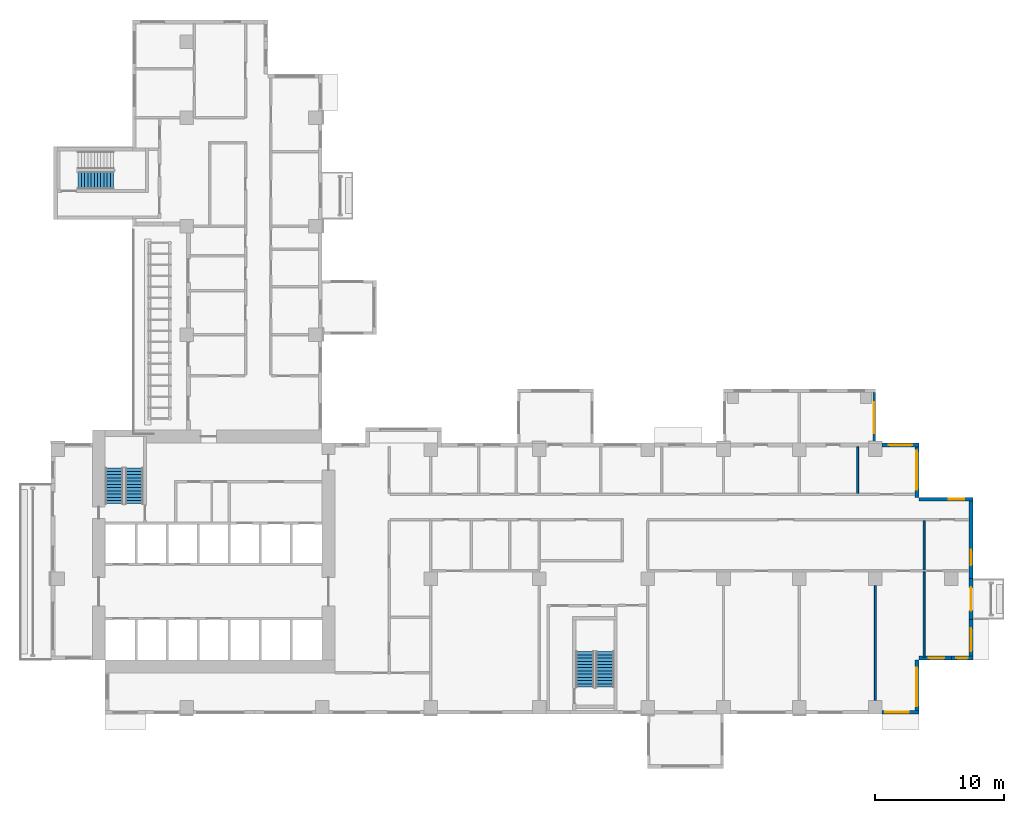
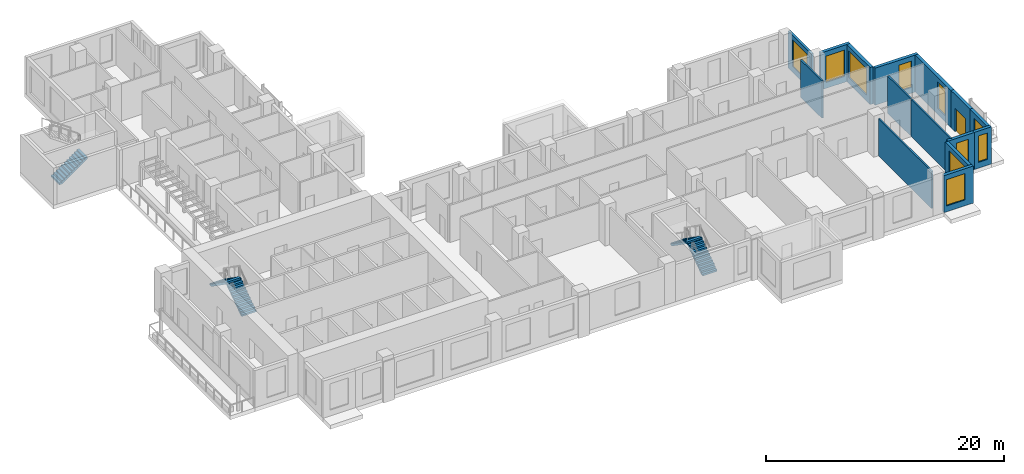
# One storey, part 10 of 16: 15 walls, 10 windows, 5 stair flights, 1 door, 11 openings, 3 elements without a shape of their own.
"""IFC4 building model written with IfcOpenShell, lengths in metres."""

import ifcopenshell
import ifcopenshell.guid

model = None  # the IFC model being written
_history = None  # IfcOwnerHistory: only IFC2X3 demands one
_inside = {}  # id of a spatial element -> (the spatial element, [elements in it])
_under = {}  # id of a project, library or spatial element -> (it, [spatial elements below it])
_declared = {}  # id of a project -> (the project, [libraries it declares])
_typed = {}  # id of a type object -> (the type object, [elements of that type])
_made_of = {}  # id of a material, layer set ... -> (it, [elements and type objects made of it])


def new_model(schema):
    """Start an empty IFC model of exactly this schema.

    Asked for "IFC4X3", IfcOpenShell would pick the latest addendum, in which some entities
    have other attributes; the version numbers below select the first issue.
    IFC2X3 requires an IfcOwnerHistory on every rooted entity: one is made here for all.
    """
    global model, _history
    if schema == "IFC4X3":
        model = ifcopenshell.file(schema_version=(4, 3, 0, 0))
    else:
        model = ifcopenshell.file(schema=schema)
    _inside.clear()
    _under.clear()
    _declared.clear()
    _typed.clear()
    _made_of.clear()
    _history = None
    if model.schema == "IFC2X3":
        org = make("IfcOrganization", Name="unknown")
        user = make(
            "IfcPersonAndOrganization",
            ThePerson=make("IfcPerson", FamilyName="unknown"),
            TheOrganization=org,
        )
        app = make(
            "IfcApplication",
            ApplicationDeveloper=org,
            Version="unknown",
            ApplicationFullName="unknown",
            ApplicationIdentifier="unknown",
        )
        _history = make(
            "IfcOwnerHistory",
            OwningUser=user,
            OwningApplication=app,
            ChangeAction="ADDED",
            CreationDate=0,
        )
    return model


def make(cls, **values):
    """One entity of the class cls with the attributes given. An attribute that is None is left unset."""
    return model.create_entity(
        cls, **{name: value for name, value in values.items() if value is not None}
    )


def rooted(cls, **values):
    """An entity with a GlobalId (a new one), such as an element, a storey or a relation."""
    return make(cls, GlobalId=ifcopenshell.guid.new(), OwnerHistory=_history, **values)


def si_unit(unit_type, name, prefix=None):
    """IfcSIUnit, for example si_unit("LENGTHUNIT", "METRE", prefix="MILLI")."""
    return make("IfcSIUnit", UnitType=unit_type, Prefix=prefix, Name=name)


def assignment(units):
    """IfcUnitAssignment: the units of a project."""
    return None if units is None else make("IfcUnitAssignment", Units=units)


def point(xyz):
    """IfcCartesianPoint."""
    return None if xyz is None else make("IfcCartesianPoint", Coordinates=xyz)


def direction(xyz):
    """IfcDirection."""
    return None if xyz is None else make("IfcDirection", DirectionRatios=xyz)


def frame(location, z_axis=None, x_axis=None):
    """IfcAxis2Placement3D, a coordinate frame: its origin and axes. An axis left out is left unset."""
    return make(
        "IfcAxis2Placement3D",
        Location=point(location),
        Axis=direction(z_axis),
        RefDirection=direction(x_axis),
    )


def frame_2d(location, x_axis=None):
    """IfcAxis2Placement2D, a coordinate frame in the plane: its origin and x axis."""
    return make(
        "IfcAxis2Placement2D", Location=point(location), RefDirection=direction(x_axis)
    )


def origin():
    """The frame at (0, 0, 0) with its axes left unset."""
    return frame((0.0, 0.0, 0.0))


def place(relative_to, where):
    """IfcLocalPlacement: puts the frame where relative to a parent placement (None: the world)."""
    return make(
        "IfcLocalPlacement", PlacementRelTo=relative_to, RelativePlacement=where
    )


def context(
    kind, dimensions, precision=None, world=None, true_north=None, identifier=None
):
    """IfcGeometricRepresentationContext, for example the 3D "Model" context."""
    return make(
        "IfcGeometricRepresentationContext",
        ContextIdentifier=identifier,
        ContextType=kind,
        CoordinateSpaceDimension=dimensions,
        Precision=precision,
        WorldCoordinateSystem=world,
        TrueNorth=true_north,
    )


def subcontext(parent, identifier, kind, view, scale=None):
    """IfcGeometricRepresentationSubContext, for example "Body" below "Model"."""
    return make(
        "IfcGeometricRepresentationSubContext",
        ContextIdentifier=identifier,
        ContextType=kind,
        ParentContext=parent,
        TargetScale=scale,
        TargetView=view,
    )


def project(units=None, contexts=None):
    """IfcProject with its units and contexts."""
    return rooted(
        "IfcProject",
        Name="project",
        RepresentationContexts=contexts,
        UnitsInContext=assignment(units),
    )


def spatial(cls, under=None, at=None, **own):
    """A site, building, storey or space (cls), placed at a placement, below another one or the project."""
    s = rooted(cls, ObjectPlacement=at, **own)
    if under is not None:
        _under.setdefault(under.id(), (under, []))[1].append(s)
    return s


def polyline(points):
    """IfcPolyline through the points."""
    return make("IfcPolyline", Points=[point(p) for p in points])


def profile(cls, at=None, kind="AREA", **sizes):
    """A parametric profile (cls). Its sizes go by their IFC names, for example OverallWidth=200.0."""
    return make(cls, ProfileType=kind, Position=at, **sizes)


def rectangle(**sizes):
    """IfcRectangleProfileDef."""
    return profile("IfcRectangleProfileDef", **sizes)


def outline(outer, holes=None, kind="AREA"):
    """IfcArbitraryClosedProfileDef: a profile drawn as a closed curve; with holes, ...WithVoids."""
    if holes is None:
        return make("IfcArbitraryClosedProfileDef", ProfileType=kind, OuterCurve=outer)
    return make(
        "IfcArbitraryProfileDefWithVoids",
        ProfileType=kind,
        OuterCurve=outer,
        InnerCurves=holes,
    )


def extrude(swept, where, along, depth):
    """IfcExtrudedAreaSolid: the profile swept, set in the frame where, extruded along a direction by depth."""
    return make(
        "IfcExtrudedAreaSolid",
        SweptArea=swept,
        Position=where,
        ExtrudedDirection=direction(along),
        Depth=depth,
    )


def shape(context_of_items, identifier, shape_type, items):
    """IfcShapeRepresentation: the items that make up one representation, for example the "Body"."""
    return make(
        "IfcShapeRepresentation",
        ContextOfItems=context_of_items,
        RepresentationIdentifier=identifier,
        RepresentationType=shape_type,
        Items=items,
    )


def source(mapping_origin, context_of_items, identifier, shape_type, items):
    """IfcRepresentationMap: a shape defined once, which mapped items show again and again."""
    return make(
        "IfcRepresentationMap",
        MappingOrigin=mapping_origin,
        MappedRepresentation=shape(context_of_items, identifier, shape_type, items),
    )


def transform(
    local_origin,
    x_axis=None,
    y_axis=None,
    z_axis=None,
    scale=None,
    scale2=None,
    scale3=None,
    uniform=True,
):
    """IfcCartesianTransformationOperator3D, or its non-uniform kind. x_axis, y_axis, z_axis: its Axis1, 2, 3."""
    if uniform:
        return make(
            "IfcCartesianTransformationOperator3D",
            Axis1=direction(x_axis),
            Axis2=direction(y_axis),
            LocalOrigin=point(local_origin),
            Scale=scale,
            Axis3=direction(z_axis),
        )
    return make(
        "IfcCartesianTransformationOperator3DnonUniform",
        Axis1=direction(x_axis),
        Axis2=direction(y_axis),
        LocalOrigin=point(local_origin),
        Scale=scale,
        Axis3=direction(z_axis),
        Scale2=scale2,
        Scale3=scale3,
    )


def mapped(mapping_source, mapping_target):
    """IfcMappedItem: shows the shape of a source again, moved by a transform."""
    return make(
        "IfcMappedItem", MappingSource=mapping_source, MappingTarget=mapping_target
    )


def material(Name=None, Category=None):
    """IfcMaterial."""
    return make("IfcMaterial", Name=Name, Category=Category)


def layer(
    of_material, thickness, ventilated=None, Name=None, Category=None, Priority=None
):
    """IfcMaterialLayer: one layer of a wall or slab, of a material (None: an air gap)."""
    return make(
        "IfcMaterialLayer",
        Material=of_material,
        LayerThickness=thickness,
        IsVentilated=ventilated,
        Name=Name,
        Category=Category,
        Priority=Priority,
    )


def layer_set(layers, Name=None):
    """IfcMaterialLayerSet."""
    return make("IfcMaterialLayerSet", MaterialLayers=layers, LayerSetName=Name)


def made_of(thing, what):
    """Note that an element or type object is made of a material, layer set ...; save() writes the relation."""
    if what is not None:
        _made_of.setdefault(what.id(), (what, []))[1].append(thing)
    return thing


def type_object(cls, material=None, **own):
    """A type object (cls), such as IfcWallType, which elements share."""
    return made_of(rooted(cls, **own), material)


def element(
    cls,
    number,
    at=None,
    inside=None,
    cuts=None,
    type_object=None,
    material=None,
    context=None,
    identifier="Body",
    shape_type=None,
    held_by="IfcProductDefinitionShape",
    body=None,
    shapes=None,
    **own,
):
    """One element of the class cls, such as IfcWall. Its Tag is "e" and its number.

    at: its placement. inside: the storey or other place that contains it. cuts: it is an
    opening in that element (IfcRelVoidsElement). A single representation is given by context,
    identifier, shape_type and body (its items); several are given by shapes. held_by: the class
    of the entity that holds the representations. save() writes the other relations.
    """
    e = rooted(cls, Tag="e%d" % number, ObjectPlacement=at, **own)
    if body is not None:
        shapes = [shape(context, identifier, shape_type, body)]
    if shapes is not None:
        e.Representation = make(held_by, Representations=shapes)
    if inside is not None:
        _inside.setdefault(inside.id(), (inside, []))[1].append(e)
    if cuts is not None:
        rooted(
            "IfcRelVoidsElement", RelatingBuildingElement=cuts, RelatedOpeningElement=e
        )
    if type_object is not None:
        _typed.setdefault(type_object.id(), (type_object, []))[1].append(e)
    return made_of(e, material)


def fill(opening, filler):
    """IfcRelFillsElement: the door or window that sits in an opening."""
    return rooted(
        "IfcRelFillsElement",
        RelatingOpeningElement=opening,
        RelatedBuildingElement=filler,
    )


def aggregate(whole, parts):
    """IfcRelAggregates: a whole, such as a stair, and the parts it consists of."""
    return rooted("IfcRelAggregates", RelatingObject=whole, RelatedObjects=parts)


def save(model, path):
    """Write the relations noted so far, then the file.

    IfcRelAggregates (storeys below a building ...), IfcRelContainedInSpatialStructure (elements
    in a storey), IfcRelDefinesByType, IfcRelAssociatesMaterial and IfcRelDeclares: one each for
    every whole, place, type object, material and project.
    """
    for whole, parts in _under.values():
        aggregate(whole, parts)
    for where, things in _inside.values():
        rooted(
            "IfcRelContainedInSpatialStructure",
            RelatedElements=things,
            RelatingStructure=where,
        )
    for kind, things in _typed.values():
        rooted("IfcRelDefinesByType", RelatedObjects=things, RelatingType=kind)
    for what, things in _made_of.values():
        rooted("IfcRelAssociatesMaterial", RelatedObjects=things, RelatingMaterial=what)
    for by, libraries in _declared.values():
        rooted("IfcRelDeclares", RelatingContext=by, RelatedDefinitions=libraries)
    model.write(path)


model = new_model("IFC4")

# Units and contexts
model_context = context("Model", 3, precision=1e-05, world=origin(), true_north=direction((0.0, 1.0)))
body_context = subcontext(model_context, "Body", "Model", "MODEL_VIEW")
ifc_project = project(units=[si_unit("LENGTHUNIT", "METRE"), si_unit("AREAUNIT", "SQUARE_METRE"), si_unit("VOLUMEUNIT", "CUBIC_METRE"), si_unit("PLANEANGLEUNIT", "RADIAN"), si_unit("MASSUNIT", "GRAM", prefix="KILO")], contexts=[model_context])

# Site, building, storey
site_placement = place(None, origin())
site = spatial("IfcSite", under=ifc_project, at=site_placement, CompositionType="ELEMENT")
building_placement = place(site_placement, origin())
building = spatial("IfcBuilding", under=site, at=building_placement, Name="Aurelian Terraces", CompositionType="ELEMENT")
storey_placement = place(building_placement, frame((0.0, 0.0, 124.5)))
storey = spatial("IfcBuildingStorey", under=building, at=storey_placement, Name="L27", CompositionType="ELEMENT", Elevation=124.5)

# Wall, opening, window
ifc_material_1 = material(Name="Terracotta rainscreen cladding", Category="masonry")
ifc_layer_1 = layer(ifc_material_1, 0.3)
ifc_layer_set_1 = layer_set([ifc_layer_1], Name="EW-300")
wall_type_1 = type_object("IfcWallType", Name="EW-300", PredefinedType="STANDARD", material=ifc_layer_set_1)
shared_shape_1 = source(origin(), body_context, "Body", "SweptSolid", [
    extrude(rectangle(XDim=3.15, YDim=0.3, at=frame_2d((1.575, 0.0))), origin(), (0.0, 0.0, 1.0), 3.8),
])
wall_1_placement = place(storey_placement, frame((71.25, 4.2, 0.0), z_axis=(0.0, 0.0, 1.0), x_axis=(0.0, 1.0, 0.0)))
wall_1 = element("IfcWall", 1, at=wall_1_placement, inside=storey, type_object=wall_type_1, Name="External wall L27 F04.15", PredefinedType="STANDARD", context=body_context, shape_type="MappedRepresentation", body=[
    mapped(shared_shape_1, transform((0.0, 0.0, 0.0), scale=1.0)),
])
shared_shape_2 = source(origin(), body_context, "Body", "SweptSolid", [
    extrude(rectangle(XDim=1.8, YDim=2.7, at=frame_2d((0.9, 1.35))), frame((0.0, 0.16, 0.0), z_axis=(0.0, -1.0, 0.0), x_axis=(1.0, 0.0, 0.0)), (0.0, 0.0, 1.0), 0.32),
])
opening_1_placement = place(wall_1_placement, frame((0.675, 0.0, 0.6)))
opening_1 = element("IfcOpeningElement", 2, at=opening_1_placement, cuts=wall_1, Name="Opening W1827", PredefinedType="OPENING", context=body_context, shape_type="MappedRepresentation", body=[
    mapped(shared_shape_2, transform((0.0, 0.0, 0.0), scale=1.0)),
])
ifc_material_2 = material(Name="Clear glazing", Category="glass")
window_type_1 = type_object("IfcWindowType", Name="W-1800x2700", PartitioningType="SINGLE_PANEL", PredefinedType="WINDOW", material=ifc_material_2)
shared_shape_3 = source(origin(), body_context, "Body", "SweptSolid", [
    extrude(rectangle(XDim=1.8, YDim=2.7, at=frame_2d((0.9, 1.35))), frame((0.0, 0.03, 0.0), z_axis=(0.0, -1.0, 0.0), x_axis=(1.0, 0.0, 0.0)), (0.0, 0.0, 1.0), 0.06),
])
window_1_placement = place(opening_1_placement, origin())
window_1 = element("IfcWindow", 3, at=window_1_placement, inside=storey, type_object=window_type_1, Name="Window L27 L27-F04-15-0", OverallHeight=2.7, OverallWidth=1.8, PartitioningType="SINGLE_PANEL", PredefinedType="WINDOW", context=body_context, shape_type="MappedRepresentation", body=[
    mapped(shared_shape_3, transform((0.0, 0.0, 0.0), scale=1.0)),
])
fill(opening_1, window_1)

# Wall, opening, door
wall_2_placement = place(storey_placement, frame((71.25, 7.35, 0.0), z_axis=(0.0, 0.0, 1.0), x_axis=(0.0, 1.0, 0.0)))
wall_2 = element("IfcWall", 4, at=wall_2_placement, inside=storey, type_object=wall_type_1, Name="External wall L27 F04.16", PredefinedType="STANDARD", context=body_context, shape_type="MappedRepresentation", body=[
    mapped(shared_shape_1, transform((0.0, 0.0, 0.0), scale=1.0)),
])
shared_shape_4 = source(origin(), body_context, "Body", "SweptSolid", [
    extrude(rectangle(XDim=1.8, YDim=2.4, at=frame_2d((0.9, 1.2))), frame((0.0, 0.16, 0.0), z_axis=(0.0, -1.0, 0.0), x_axis=(1.0, 0.0, 0.0)), (0.0, 0.0, 1.0), 0.32),
])
opening_2_placement = place(wall_2_placement, frame((0.675, 0.0, 0.0)))
opening_2 = element("IfcOpeningElement", 5, at=opening_2_placement, cuts=wall_2, Name="Opening 82701", PredefinedType="OPENING", context=body_context, shape_type="MappedRepresentation", body=[
    mapped(shared_shape_4, transform((0.0, 0.0, 0.0), scale=1.0)),
])
door_type = type_object("IfcDoorType", Name="BD-1800x2400", OperationType="SLIDING_TO_LEFT", PredefinedType="DOOR", material=ifc_material_2)
shared_shape_5 = source(origin(), body_context, "Body", "SweptSolid", [
    extrude(rectangle(XDim=1.8, YDim=2.4, at=frame_2d((0.9, 1.2))), frame((0.0, 0.025, 0.0), z_axis=(0.0, -1.0, 0.0), x_axis=(1.0, 0.0, 0.0)), (0.0, 0.0, 1.0), 0.05),
])
door_placement = place(opening_2_placement, origin())
door = element("IfcDoor", 6, at=door_placement, inside=storey, type_object=door_type, Name="Balcony door L27 F04.16", OperationType="SLIDING_TO_LEFT", OverallHeight=2.4, OverallWidth=1.8, PredefinedType="DOOR", context=body_context, shape_type="MappedRepresentation", body=[
    mapped(shared_shape_5, transform((0.0, 0.0, 0.0), scale=1.0)),
])
fill(opening_2, door)

# Wall, opening, window
shared_shape_6 = source(origin(), body_context, "Body", "SweptSolid", [
    extrude(rectangle(XDim=4.2, YDim=0.3, at=frame_2d((2.1, 0.0))), origin(), (0.0, 0.0, 1.0), 3.8),
])
wall_3_placement = place(storey_placement, frame((67.05, 0.0, 0.0), z_axis=(0.0, 0.0, 1.0), x_axis=(0.0, 1.0, 0.0)))
wall_3 = element("IfcWall", 7, at=wall_3_placement, inside=storey, type_object=wall_type_1, Name="External wall L27 F02.12", PredefinedType="STANDARD", context=body_context, shape_type="MappedRepresentation", body=[
    mapped(shared_shape_6, transform((0.0, 0.0, 0.0), scale=1.0)),
])
shared_shape_7 = source(origin(), body_context, "Body", "SweptSolid", [
    extrude(rectangle(XDim=3.0, YDim=2.7, at=frame_2d((1.5, 1.35))), frame((0.0, 0.16, 0.0), z_axis=(0.0, -1.0, 0.0), x_axis=(1.0, 0.0, 0.0)), (0.0, 0.0, 1.0), 0.32),
])
opening_3_placement = place(wall_3_placement, frame((0.6, 0.0, 0.6)))
opening_3 = element("IfcOpeningElement", 8, at=opening_3_placement, cuts=wall_3, Name="Opening W3027", PredefinedType="OPENING", context=body_context, shape_type="MappedRepresentation", body=[
    mapped(shared_shape_7, transform((0.0, 0.0, 0.0), scale=1.0)),
])
window_type_2 = type_object("IfcWindowType", Name="W-3000x2700", PartitioningType="SINGLE_PANEL", PredefinedType="WINDOW", material=ifc_material_2)
shared_shape_8 = source(origin(), body_context, "Body", "SweptSolid", [
    extrude(rectangle(XDim=3.0, YDim=2.7, at=frame_2d((1.5, 1.35))), frame((0.0, 0.03, 0.0), z_axis=(0.0, -1.0, 0.0), x_axis=(1.0, 0.0, 0.0)), (0.0, 0.0, 1.0), 0.06),
])
window_2_placement = place(opening_3_placement, origin())
window_2 = element("IfcWindow", 9, at=window_2_placement, inside=storey, type_object=window_type_2, Name="Window L27 L27-F02-12-0", OverallHeight=2.7, OverallWidth=3.0, PartitioningType="SINGLE_PANEL", PredefinedType="WINDOW", context=body_context, shape_type="MappedRepresentation", body=[
    mapped(shared_shape_8, transform((0.0, 0.0, 0.0), scale=1.0)),
])
fill(opening_3, window_2)

wall_4_placement = place(storey_placement, frame((71.4, 16.65, 0.0), z_axis=(0.0, 0.0, 1.0), x_axis=(-1.0, 0.0, 0.0)))
wall_4 = element("IfcWall", 10, at=wall_4_placement, inside=storey, type_object=wall_type_1, Name="External wall L27 F05.18", PredefinedType="STANDARD", context=body_context, shape_type="MappedRepresentation", body=[
    mapped(shared_shape_6, transform((0.0, 0.0, 0.0), scale=1.0)),
])
shared_shape_9 = source(origin(), body_context, "Body", "SweptSolid", [
    extrude(rectangle(XDim=1.2, YDim=2.7, at=frame_2d((0.6, 1.35))), frame((0.0, 0.16, 0.0), z_axis=(0.0, -1.0, 0.0), x_axis=(1.0, 0.0, 0.0)), (0.0, 0.0, 1.0), 0.32),
])
opening_4_placement = place(wall_4_placement, frame((0.66, 0.0, 0.6)))
opening_4 = element("IfcOpeningElement", 11, at=opening_4_placement, cuts=wall_4, Name="Opening W1227", PredefinedType="OPENING", context=body_context, shape_type="MappedRepresentation", body=[
    mapped(shared_shape_9, transform((0.0, 0.0, 0.0), scale=1.0)),
])
window_type_3 = type_object("IfcWindowType", Name="W-1200x2700", PartitioningType="SINGLE_PANEL", PredefinedType="WINDOW", material=ifc_material_2)
shared_shape_10 = source(origin(), body_context, "Body", "SweptSolid", [
    extrude(rectangle(XDim=1.2, YDim=2.7, at=frame_2d((0.6, 1.35))), frame((0.0, 0.03, 0.0), z_axis=(0.0, -1.0, 0.0), x_axis=(1.0, 0.0, 0.0)), (0.0, 0.0, 1.0), 0.06),
])
window_3_placement = place(opening_4_placement, origin())
window_3 = element("IfcWindow", 12, at=window_3_placement, inside=storey, type_object=window_type_3, Name="Window L27 L27-F05-18-0", OverallHeight=2.7, OverallWidth=1.2, PartitioningType="SINGLE_PANEL", PredefinedType="WINDOW", context=body_context, shape_type="MappedRepresentation", body=[
    mapped(shared_shape_10, transform((0.0, 0.0, 0.0), scale=1.0)),
])
fill(opening_4, window_3)

wall_5_placement = place(storey_placement, frame((67.05, 16.8, 0.0), z_axis=(0.0, 0.0, 1.0), x_axis=(0.0, 1.0, 0.0)))
wall_5 = element("IfcWall", 13, at=wall_5_placement, inside=storey, type_object=wall_type_1, Name="External wall L27 F06.19", PredefinedType="STANDARD", context=body_context, shape_type="MappedRepresentation", body=[
    mapped(shared_shape_6, transform((0.0, 0.0, 0.0), scale=1.0)),
])
opening_5_placement = place(wall_5_placement, frame((0.6, 0.0, 0.6)))
opening_5 = element("IfcOpeningElement", 14, at=opening_5_placement, cuts=wall_5, Name="Opening W3027", PredefinedType="OPENING", context=body_context, shape_type="MappedRepresentation", body=[
    mapped(shared_shape_7, transform((0.0, 0.0, 0.0), scale=1.0)),
])
window_4_placement = place(opening_5_placement, origin())
window_4 = element("IfcWindow", 15, at=window_4_placement, inside=storey, type_object=window_type_2, Name="Window L27 L27-F06-19-0", OverallHeight=2.7, OverallWidth=3.0, PartitioningType="SINGLE_PANEL", PredefinedType="WINDOW", context=body_context, shape_type="MappedRepresentation", body=[
    mapped(shared_shape_8, transform((0.0, 0.0, 0.0), scale=1.0)),
])
fill(opening_5, window_4)

shared_shape_11 = source(origin(), body_context, "Body", "SweptSolid", [
    extrude(rectangle(XDim=2.52, YDim=0.3, at=frame_2d((1.26, 0.0))), origin(), (0.0, 0.0, 1.0), 3.8),
])
wall_6_placement = place(storey_placement, frame((67.2, 4.35, 0.0), z_axis=(0.0, 0.0, 1.0), x_axis=(1.0, 0.0, 0.0)))
wall_6 = element("IfcWall", 16, at=wall_6_placement, inside=storey, type_object=wall_type_1, Name="External wall L27 F03.13", PredefinedType="STANDARD", context=body_context, shape_type="MappedRepresentation", body=[
    mapped(shared_shape_11, transform((0.0, 0.0, 0.0), scale=1.0)),
])
opening_6_placement = place(wall_6_placement, frame((0.7775, 0.0, 0.6)))
opening_6 = element("IfcOpeningElement", 17, at=opening_6_placement, cuts=wall_6, Name="Opening W1227", PredefinedType="OPENING", context=body_context, shape_type="MappedRepresentation", body=[
    mapped(shared_shape_9, transform((0.0, 0.0, 0.0), scale=1.0)),
])
window_5_placement = place(opening_6_placement, origin())
window_5 = element("IfcWindow", 18, at=window_5_placement, inside=storey, type_object=window_type_3, Name="Window L27 L27-F03-13-P0", OverallHeight=2.7, OverallWidth=1.2, PartitioningType="SINGLE_PANEL", PredefinedType="WINDOW", context=body_context, shape_type="MappedRepresentation", body=[
    mapped(shared_shape_10, transform((0.0, 0.0, 0.0), scale=1.0)),
])
fill(opening_6, window_5)

shared_shape_12 = source(origin(), body_context, "Body", "SweptSolid", [
    extrude(rectangle(XDim=1.68, YDim=0.3, at=frame_2d((0.84, 0.0))), origin(), (0.0, 0.0, 1.0), 3.8),
])
wall_7_placement = place(storey_placement, frame((69.72, 4.35, 0.0), z_axis=(0.0, 0.0, 1.0), x_axis=(1.0, 0.0, 0.0)))
wall_7 = element("IfcWall", 19, at=wall_7_placement, inside=storey, type_object=wall_type_1, Name="External wall L27 F03.14", PredefinedType="STANDARD", context=body_context, shape_type="MappedRepresentation", body=[
    mapped(shared_shape_12, transform((0.0, 0.0, 0.0), scale=1.0)),
])
shared_shape_13 = source(origin(), body_context, "Body", "SweptSolid", [
    extrude(rectangle(XDim=0.9, YDim=2.7, at=frame_2d((0.45, 1.35))), frame((0.0, 0.16, 0.0), z_axis=(0.0, -1.0, 0.0), x_axis=(1.0, 0.0, 0.0)), (0.0, 0.0, 1.0), 0.32),
])
opening_7_placement = place(wall_7_placement, frame((0.39, 0.0, 0.6)))
opening_7 = element("IfcOpeningElement", 20, at=opening_7_placement, cuts=wall_7, Name="Opening W0927", PredefinedType="OPENING", context=body_context, shape_type="MappedRepresentation", body=[
    mapped(shared_shape_13, transform((0.0, 0.0, 0.0), scale=1.0)),
])
window_type_4 = type_object("IfcWindowType", Name="W-900x2700", PartitioningType="SINGLE_PANEL", PredefinedType="WINDOW", material=ifc_material_2)
shared_shape_14 = source(origin(), body_context, "Body", "SweptSolid", [
    extrude(rectangle(XDim=0.9, YDim=2.7, at=frame_2d((0.45, 1.35))), frame((0.0, 0.03, 0.0), z_axis=(0.0, -1.0, 0.0), x_axis=(1.0, 0.0, 0.0)), (0.0, 0.0, 1.0), 0.06),
])
window_6_placement = place(opening_7_placement, origin())
window_6 = element("IfcWindow", 21, at=window_6_placement, inside=storey, type_object=window_type_4, Name="Window L27 L27-F03-14-P0", OverallHeight=2.7, OverallWidth=0.9, PartitioningType="SINGLE_PANEL", PredefinedType="WINDOW", context=body_context, shape_type="MappedRepresentation", body=[
    mapped(shared_shape_14, transform((0.0, 0.0, 0.0), scale=1.0)),
])
fill(opening_7, window_6)

shared_shape_15 = source(origin(), body_context, "Body", "SweptSolid", [
    extrude(rectangle(XDim=6.3, YDim=0.3, at=frame_2d((3.15, 0.0))), origin(), (0.0, 0.0, 1.0), 3.8),
])
wall_8_placement = place(storey_placement, frame((71.25, 10.5, 0.0), z_axis=(0.0, 0.0, 1.0), x_axis=(0.0, 1.0, 0.0)))
wall_8 = element("IfcWall", 22, at=wall_8_placement, inside=storey, type_object=wall_type_1, Name="External wall L27 F04.17", PredefinedType="STANDARD", context=body_context, shape_type="MappedRepresentation", body=[
    mapped(shared_shape_15, transform((0.0, 0.0, 0.0), scale=1.0)),
])
opening_8_placement = place(wall_8_placement, frame((1.025, 0.0, 0.6)))
opening_8 = element("IfcOpeningElement", 23, at=opening_8_placement, cuts=wall_8, Name="Opening W1227", PredefinedType="OPENING", context=body_context, shape_type="MappedRepresentation", body=[
    mapped(shared_shape_9, transform((0.0, 0.0, 0.0), scale=1.0)),
])
window_7_placement = place(opening_8_placement, origin())
window_7 = element("IfcWindow", 24, at=window_7_placement, inside=storey, type_object=window_type_3, Name="Window L27 L27-F04-17-0", OverallHeight=2.7, OverallWidth=1.2, PartitioningType="SINGLE_PANEL", PredefinedType="WINDOW", context=body_context, shape_type="MappedRepresentation", body=[
    mapped(shared_shape_10, transform((0.0, 0.0, 0.0), scale=1.0)),
])
fill(opening_8, window_7)

ifc_material_3 = material(Name="Concrete fc' 40 MPa", Category="concrete")
ifc_layer_2 = layer(ifc_material_3, 0.2)
ifc_layer_set_2 = layer_set([ifc_layer_2], Name="BOX BEARING WALL 200")
wall_type_2 = type_object("IfcWallType", Name="BOX BEARING WALL 200", PredefinedType="SOLIDWALL", material=ifc_layer_set_2)
shared_shape_16 = source(origin(), body_context, "Body", "SweptSolid", [
    extrude(rectangle(XDim=3.9, YDim=0.2, at=frame_2d((1.95, 0.0))), origin(), (0.0, 0.0, 1.0), 3.79),
])
wall_9_placement = place(storey_placement, frame((63.74, 21.0, 0.0), z_axis=(0.0, 0.0, 1.0), x_axis=(0.0, 1.0, 0.0)))
wall_9 = element("IfcWall", 25, at=wall_9_placement, inside=storey, type_object=wall_type_2, Name="Box return L27 K02.1", PredefinedType="SOLIDWALL", context=body_context, shape_type="MappedRepresentation", body=[
    mapped(shared_shape_16, transform((0.0, 0.0, 0.0), scale=1.0)),
])
shared_shape_17 = source(origin(), body_context, "Body", "SweptSolid", [
    extrude(rectangle(XDim=2.4, YDim=2.7, at=frame_2d((1.2, 1.35))), frame((0.0, 0.11, 0.0), z_axis=(0.0, -1.0, 0.0), x_axis=(1.0, 0.0, 0.0)), (0.0, 0.0, 1.0), 0.22),
])
opening_9_placement = place(wall_9_placement, frame((0.75, 0.0, 0.6)))
opening_9 = element("IfcOpeningElement", 26, at=opening_9_placement, cuts=wall_9, Name="Opening W2427", PredefinedType="OPENING", context=body_context, shape_type="MappedRepresentation", body=[
    mapped(shared_shape_17, transform((0.0, 0.0, 0.0), scale=1.0)),
])
window_type_5 = type_object("IfcWindowType", Name="W-2400x2700", PartitioningType="SINGLE_PANEL", PredefinedType="WINDOW", material=ifc_material_2)
shared_shape_18 = source(origin(), body_context, "Body", "SweptSolid", [
    extrude(rectangle(XDim=2.4, YDim=2.7, at=frame_2d((1.2, 1.35))), frame((0.0, 0.03, 0.0), z_axis=(0.0, -1.0, 0.0), x_axis=(1.0, 0.0, 0.0)), (0.0, 0.0, 1.0), 0.06),
])
window_8_placement = place(opening_9_placement, origin())
window_8 = element("IfcWindow", 27, at=window_8_placement, inside=storey, type_object=window_type_5, Name="Window L27 K02-S1", OverallHeight=2.7, OverallWidth=2.4, PartitioningType="SINGLE_PANEL", PredefinedType="WINDOW", context=body_context, shape_type="MappedRepresentation", body=[
    mapped(shared_shape_18, transform((0.0, 0.0, 0.0), scale=1.0)),
])
fill(opening_9, window_8)

shared_shape_19 = source(origin(), body_context, "Body", "SweptSolid", [
    extrude(rectangle(XDim=2.835, YDim=0.3, at=frame_2d((1.4175, 0.0))), origin(), (0.0, 0.0, 1.0), 3.8),
])
wall_10_placement = place(storey_placement, frame((64.365, 0.15, 0.0), z_axis=(0.0, 0.0, 1.0), x_axis=(1.0, 0.0, 0.0)))
wall_10 = element("IfcWall", 28, at=wall_10_placement, inside=storey, type_object=wall_type_1, Name="External wall L27 F01.11", PredefinedType="STANDARD", context=body_context, shape_type="MappedRepresentation", body=[
    mapped(shared_shape_19, transform((0.0, 0.0, 0.0), scale=1.0)),
])
opening_10_placement = place(wall_10_placement, frame((0.255, 0.0, 0.6)))
opening_10 = element("IfcOpeningElement", 29, at=opening_10_placement, cuts=wall_10, Name="Opening W1827", PredefinedType="OPENING", context=body_context, shape_type="MappedRepresentation", body=[
    mapped(shared_shape_2, transform((0.0, 0.0, 0.0), scale=1.0)),
])
window_9_placement = place(opening_10_placement, origin())
window_9 = element("IfcWindow", 30, at=window_9_placement, inside=storey, type_object=window_type_1, Name="Window L27 L27-F01-11-0", OverallHeight=2.7, OverallWidth=1.8, PartitioningType="SINGLE_PANEL", PredefinedType="WINDOW", context=body_context, shape_type="MappedRepresentation", body=[
    mapped(shared_shape_3, transform((0.0, 0.0, 0.0), scale=1.0)),
])
fill(opening_10, window_9)

wall_11_placement = place(storey_placement, frame((67.2, 20.85, 0.0), z_axis=(0.0, 0.0, 1.0), x_axis=(-1.0, 0.0, 0.0)))
wall_11 = element("IfcWall", 31, at=wall_11_placement, inside=storey, type_object=wall_type_1, Name="External wall L27 F07.20", PredefinedType="STANDARD", context=body_context, shape_type="MappedRepresentation", body=[
    mapped(shared_shape_19, transform((0.0, 0.0, 0.0), scale=1.0)),
])
opening_11_placement = place(wall_11_placement, frame((0.5175, 0.0, 0.6)))
opening_11 = element("IfcOpeningElement", 32, at=opening_11_placement, cuts=wall_11, Name="Opening W1827", PredefinedType="OPENING", context=body_context, shape_type="MappedRepresentation", body=[
    mapped(shared_shape_2, transform((0.0, 0.0, 0.0), scale=1.0)),
])
window_10_placement = place(opening_11_placement, origin())
window_10 = element("IfcWindow", 33, at=window_10_placement, inside=storey, type_object=window_type_1, Name="Window L27 L27-F07-20-P0", OverallHeight=2.7, OverallWidth=1.8, PartitioningType="SINGLE_PANEL", PredefinedType="WINDOW", context=body_context, shape_type="MappedRepresentation", body=[
    mapped(shared_shape_3, transform((0.0, 0.0, 0.0), scale=1.0)),
])
fill(opening_11, window_10)

# Walls
ifc_material_4 = material(Name="Gypsum board on steel studs", Category="steel")
ifc_layer_3 = layer(ifc_material_4, 0.15)
ifc_layer_set_3 = layer_set([ifc_layer_3], Name="Partition 150")
wall_type_3 = type_object("IfcWallType", Name="Partition 150", PredefinedType="PARTITIONING", material=ifc_layer_set_3)
shared_shape_20 = source(origin(), body_context, "Body", "SweptSolid", [
    extrude(rectangle(XDim=3.6, YDim=0.15, at=frame_2d((1.8, 0.0))), origin(), (0.0, 0.0, 1.0), 3.8),
])
wall_12_placement = place(storey_placement, frame((62.4675, 20.7, 0.0), z_axis=(0.0, 0.0, 1.0), x_axis=(0.0, -1.0, 0.0)))
element("IfcWall", 34, at=wall_12_placement, inside=storey, type_object=wall_type_3, Name="Partition", PredefinedType="PARTITIONING", context=body_context, shape_type="MappedRepresentation", body=[
    mapped(shared_shape_20, transform((0.0, 0.0, 0.0), scale=1.0)),
])
shared_shape_21 = source(origin(), body_context, "Body", "SweptSolid", [
    extrude(rectangle(XDim=3.825, YDim=0.15, at=frame_2d((1.9125, 0.0))), origin(), (0.0, 0.0, 1.0), 3.8),
])
wall_13_placement = place(storey_placement, frame((67.62, 11.175, 0.0), z_axis=(0.0, 0.0, 1.0), x_axis=(0.0, 1.0, 0.0)))
element("IfcWall", 35, at=wall_13_placement, inside=storey, type_object=wall_type_3, Name="Partition", PredefinedType="PARTITIONING", context=body_context, shape_type="MappedRepresentation", body=[
    mapped(shared_shape_21, transform((0.0, 0.0, 0.0), scale=1.0)),
])
shared_shape_22 = source(origin(), body_context, "Body", "SweptSolid", [
    extrude(rectangle(XDim=8.927, YDim=0.15, at=frame_2d((4.4635, 0.0))), origin(), (0.0, 0.0, 1.0), 3.8),
])
wall_14_placement = place(storey_placement, frame((63.84, 1.049, 0.0), z_axis=(0.0, 0.0, 1.0), x_axis=(0.0, 1.0, 0.0)))
element("IfcWall", 36, at=wall_14_placement, inside=storey, type_object=wall_type_3, Name="Partition", PredefinedType="PARTITIONING", context=body_context, shape_type="MappedRepresentation", body=[
    mapped(shared_shape_22, transform((0.0, 0.0, 0.0), scale=1.0)),
])
shared_shape_23 = source(origin(), body_context, "Body", "SweptSolid", [
    extrude(rectangle(XDim=6.62, YDim=0.15, at=frame_2d((3.31, 0.0))), origin(), (0.0, 0.0, 1.0), 3.8),
])
wall_15_placement = place(storey_placement, frame((67.62, 4.405, 0.0), z_axis=(0.0, 0.0, 1.0), x_axis=(0.0, 1.0, 0.0)))
element("IfcWall", 37, at=wall_15_placement, inside=storey, type_object=wall_type_3, Name="Partition", PredefinedType="PARTITIONING", context=body_context, shape_type="MappedRepresentation", body=[
    mapped(shared_shape_23, transform((0.0, 0.0, 0.0), scale=1.0)),
])

# Stair, stair flights
stair_type = type_object("IfcStairType", Name="Stair 1400", PredefinedType="HALF_TURN_STAIR", material=ifc_material_3)
stair_1_placement = place(storey_placement, origin())
stair_1 = element("IfcStair", 38, at=stair_1_placement, inside=storey, type_object=stair_type, Name="L27 S1", PredefinedType="HALF_TURN_STAIR")
stair_flight_type = type_object("IfcStairFlightType", Name="Stair flight 1400", PredefinedType="STRAIGHT", material=ifc_material_3)
shared_shape_24 = source(origin(), body_context, "Body", "SweptSolid", [
    extrude(outline(polyline([(0.0, 0.0), (0.0, 0.175), (0.25, 0.175), (0.25, 0.35), (0.5, 0.35), (0.5, 0.525), (0.75, 0.525), (0.75, 0.7), (1.0, 0.7), (1.0, 0.875), (1.25, 0.875), (1.25, 1.05), (1.5, 1.05), (1.5, 1.225), (1.75, 1.225), (1.75, 1.4), (2.0, 1.4), (2.0, 1.575), (2.25, 1.575), (2.25, 1.75), (2.5, 1.75), (2.5, 1.925), (2.75, 1.925), (2.75, 2.1), (2.75, 1.7419), (0.2616, 0.0), (0.0, 0.0)])), frame((0.0, 0.7, 0.0), z_axis=(0.0, -1.0, 0.0), x_axis=(1.0, 0.0, 0.0)), (0.0, 0.0, 1.0), 1.4),
])
stair_flight_1_placement = place(storey_placement, frame((6.45, 16.3, 2e-08), z_axis=(0.0, 0.0, 1.0), x_axis=(0.0, 1.0, 0.0)))
stair_flight_1 = element("IfcStairFlight", 39, at=stair_flight_1_placement, type_object=stair_flight_type, Name="S1 flight 1", NumberOfRisers=12, NumberOfTreads=11, PredefinedType="STRAIGHT", RiserHeight=0.175, TreadLength=0.25, context=body_context, shape_type="MappedRepresentation", body=[
    mapped(shared_shape_24, transform((0.0, 0.0, 0.0), scale=1.0)),
])
stair_flight_2_placement = place(storey_placement, frame((4.9, 19.05, 2.100000019999994), z_axis=(0.0, 0.0, 1.0), x_axis=(0.0, -1.0, 0.0)))
stair_flight_2 = element("IfcStairFlight", 40, at=stair_flight_2_placement, type_object=stair_flight_type, Name="S1 flight 2", NumberOfRisers=12, NumberOfTreads=11, PredefinedType="STRAIGHT", RiserHeight=0.175, TreadLength=0.25, context=body_context, shape_type="MappedRepresentation", body=[
    mapped(shared_shape_24, transform((0.0, 0.0, 0.0), scale=1.0)),
])
aggregate(stair_1, [stair_flight_1, stair_flight_2])

stair_2_placement = place(storey_placement, origin())
stair_2 = element("IfcStair", 41, at=stair_2_placement, inside=storey, type_object=stair_type, Name="L27 S2", PredefinedType="HALF_TURN_STAIR")
stair_flight_3_placement = place(storey_placement, frame((42.9, 2.1, 2e-08), z_axis=(0.0, 0.0, 1.0), x_axis=(0.0, 1.0, 0.0)))
stair_flight_3 = element("IfcStairFlight", 42, at=stair_flight_3_placement, type_object=stair_flight_type, Name="S2 flight 1", NumberOfRisers=12, NumberOfTreads=11, PredefinedType="STRAIGHT", RiserHeight=0.175, TreadLength=0.25, context=body_context, shape_type="MappedRepresentation", body=[
    mapped(shared_shape_24, transform((0.0, 0.0, 0.0), scale=1.0)),
])
stair_flight_4_placement = place(storey_placement, frame((41.35, 4.85, 2.100000019999994), z_axis=(0.0, 0.0, 1.0), x_axis=(0.0, -1.0, 0.0)))
stair_flight_4 = element("IfcStairFlight", 43, at=stair_flight_4_placement, type_object=stair_flight_type, Name="S2 flight 2", NumberOfRisers=12, NumberOfTreads=11, PredefinedType="STRAIGHT", RiserHeight=0.175, TreadLength=0.25, context=body_context, shape_type="MappedRepresentation", body=[
    mapped(shared_shape_24, transform((0.0, 0.0, 0.0), scale=1.0)),
])
aggregate(stair_2, [stair_flight_3, stair_flight_4])

# Stair, stair flight
stair_3_placement = place(storey_placement, origin())
stair_3 = element("IfcStair", 44, at=stair_3_placement, inside=storey, type_object=stair_type, Name="L27 S3", PredefinedType="HALF_TURN_STAIR")
stair_flight_5_placement = place(storey_placement, frame((2.1, 41.35, 2e-08), z_axis=(0.0, 0.0, 1.0), x_axis=(1.0, 0.0, 0.0)))
stair_flight_5 = element("IfcStairFlight", 45, at=stair_flight_5_placement, type_object=stair_flight_type, Name="S3 flight 1", NumberOfRisers=12, NumberOfTreads=11, PredefinedType="STRAIGHT", RiserHeight=0.175, TreadLength=0.25, context=body_context, shape_type="MappedRepresentation", body=[
    mapped(shared_shape_24, transform((0.0, 0.0, 0.0), scale=1.0)),
])
aggregate(stair_3, [stair_flight_5])

save(model, "model.ifc")
